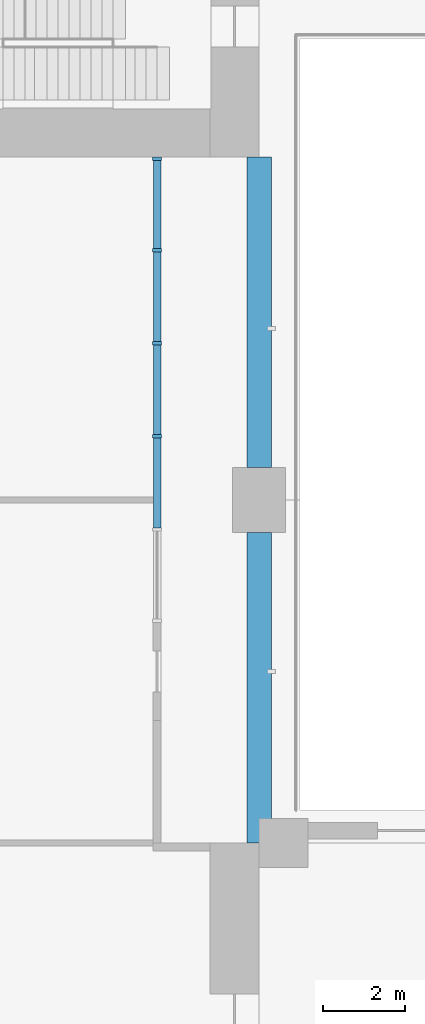
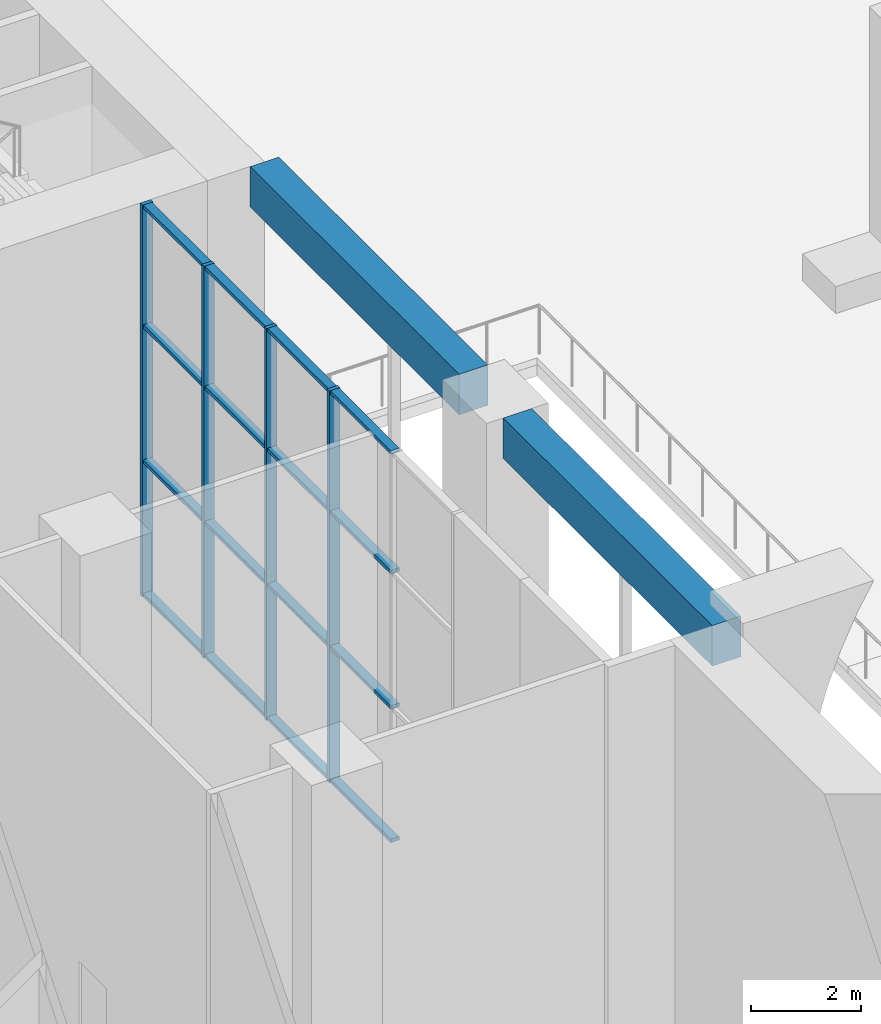
# One storey, part 6 of 46: 20 members, 2 beams, 1 element without a shape of its own.
"""IFC4 building model written with IfcOpenShell, lengths in metres."""

import ifcopenshell
import ifcopenshell.guid

model = None  # the IFC model being written
_history = None  # IfcOwnerHistory: only IFC2X3 demands one
_inside = {}  # id of a spatial element -> (the spatial element, [elements in it])
_under = {}  # id of a project, library or spatial element -> (it, [spatial elements below it])
_declared = {}  # id of a project -> (the project, [libraries it declares])
_typed = {}  # id of a type object -> (the type object, [elements of that type])
_made_of = {}  # id of a material, layer set ... -> (it, [elements and type objects made of it])


def new_model(schema):
    """Start an empty IFC model of exactly this schema.

    Asked for "IFC4X3", IfcOpenShell would pick the latest addendum, in which some entities
    have other attributes; the version numbers below select the first issue.
    IFC2X3 requires an IfcOwnerHistory on every rooted entity: one is made here for all.
    """
    global model, _history
    if schema == "IFC4X3":
        model = ifcopenshell.file(schema_version=(4, 3, 0, 0))
    else:
        model = ifcopenshell.file(schema=schema)
    _inside.clear()
    _under.clear()
    _declared.clear()
    _typed.clear()
    _made_of.clear()
    _history = None
    if model.schema == "IFC2X3":
        org = make("IfcOrganization", Name="unknown")
        user = make(
            "IfcPersonAndOrganization",
            ThePerson=make("IfcPerson", FamilyName="unknown"),
            TheOrganization=org,
        )
        app = make(
            "IfcApplication",
            ApplicationDeveloper=org,
            Version="unknown",
            ApplicationFullName="unknown",
            ApplicationIdentifier="unknown",
        )
        _history = make(
            "IfcOwnerHistory",
            OwningUser=user,
            OwningApplication=app,
            ChangeAction="ADDED",
            CreationDate=0,
        )
    return model


def make(cls, **values):
    """One entity of the class cls with the attributes given. An attribute that is None is left unset."""
    return model.create_entity(
        cls, **{name: value for name, value in values.items() if value is not None}
    )


def rooted(cls, **values):
    """An entity with a GlobalId (a new one), such as an element, a storey or a relation."""
    return make(cls, GlobalId=ifcopenshell.guid.new(), OwnerHistory=_history, **values)


def si_unit(unit_type, name, prefix=None):
    """IfcSIUnit, for example si_unit("LENGTHUNIT", "METRE", prefix="MILLI")."""
    return make("IfcSIUnit", UnitType=unit_type, Prefix=prefix, Name=name)


def assignment(units):
    """IfcUnitAssignment: the units of a project."""
    return None if units is None else make("IfcUnitAssignment", Units=units)


def point(xyz):
    """IfcCartesianPoint."""
    return None if xyz is None else make("IfcCartesianPoint", Coordinates=xyz)


def direction(xyz):
    """IfcDirection."""
    return None if xyz is None else make("IfcDirection", DirectionRatios=xyz)


def frame(location, z_axis=None, x_axis=None):
    """IfcAxis2Placement3D, a coordinate frame: its origin and axes. An axis left out is left unset."""
    return make(
        "IfcAxis2Placement3D",
        Location=point(location),
        Axis=direction(z_axis),
        RefDirection=direction(x_axis),
    )


def frame_2d(location, x_axis=None):
    """IfcAxis2Placement2D, a coordinate frame in the plane: its origin and x axis."""
    return make(
        "IfcAxis2Placement2D", Location=point(location), RefDirection=direction(x_axis)
    )


def origin():
    """The frame at (0, 0, 0) with its axes left unset."""
    return frame((0.0, 0.0, 0.0))


def origin_2d():
    """The frame at (0, 0) in the plane with its x axis left unset."""
    return frame_2d((0.0, 0.0))


def place(relative_to, where):
    """IfcLocalPlacement: puts the frame where relative to a parent placement (None: the world)."""
    return make(
        "IfcLocalPlacement", PlacementRelTo=relative_to, RelativePlacement=where
    )


def context(
    kind, dimensions, precision=None, world=None, true_north=None, identifier=None
):
    """IfcGeometricRepresentationContext, for example the 3D "Model" context."""
    return make(
        "IfcGeometricRepresentationContext",
        ContextIdentifier=identifier,
        ContextType=kind,
        CoordinateSpaceDimension=dimensions,
        Precision=precision,
        WorldCoordinateSystem=world,
        TrueNorth=true_north,
    )


def subcontext(parent, identifier, kind, view, scale=None):
    """IfcGeometricRepresentationSubContext, for example "Body" below "Model"."""
    return make(
        "IfcGeometricRepresentationSubContext",
        ContextIdentifier=identifier,
        ContextType=kind,
        ParentContext=parent,
        TargetScale=scale,
        TargetView=view,
    )


def project(units=None, contexts=None):
    """IfcProject with its units and contexts."""
    return rooted(
        "IfcProject",
        Name="project",
        RepresentationContexts=contexts,
        UnitsInContext=assignment(units),
    )


def spatial(cls, under=None, at=None, **own):
    """A site, building, storey or space (cls), placed at a placement, below another one or the project."""
    s = rooted(cls, ObjectPlacement=at, **own)
    if under is not None:
        _under.setdefault(under.id(), (under, []))[1].append(s)
    return s


def profile(cls, at=None, kind="AREA", **sizes):
    """A parametric profile (cls). Its sizes go by their IFC names, for example OverallWidth=200.0."""
    return make(cls, ProfileType=kind, Position=at, **sizes)


def rectangle(**sizes):
    """IfcRectangleProfileDef."""
    return profile("IfcRectangleProfileDef", **sizes)


def extrude(swept, where, along, depth):
    """IfcExtrudedAreaSolid: the profile swept, set in the frame where, extruded along a direction by depth."""
    return make(
        "IfcExtrudedAreaSolid",
        SweptArea=swept,
        Position=where,
        ExtrudedDirection=direction(along),
        Depth=depth,
    )


def shape(context_of_items, identifier, shape_type, items):
    """IfcShapeRepresentation: the items that make up one representation, for example the "Body"."""
    return make(
        "IfcShapeRepresentation",
        ContextOfItems=context_of_items,
        RepresentationIdentifier=identifier,
        RepresentationType=shape_type,
        Items=items,
    )


def material(Name=None, Category=None):
    """IfcMaterial."""
    return make("IfcMaterial", Name=Name, Category=Category)


def material_profile(
    of_material, cross_section, Name=None, Category=None, Priority=None
):
    """IfcMaterialProfile: a cross section and its material."""
    return make(
        "IfcMaterialProfile",
        Name=Name,
        Material=of_material,
        Profile=cross_section,
        Priority=Priority,
        Category=Category,
    )


def profile_set(profiles, Name=None, composite=None):
    """IfcMaterialProfileSet."""
    return make(
        "IfcMaterialProfileSet",
        Name=Name,
        MaterialProfiles=profiles,
        CompositeProfile=composite,
    )


def made_of(thing, what):
    """Note that an element or type object is made of a material, layer set ...; save() writes the relation."""
    if what is not None:
        _made_of.setdefault(what.id(), (what, []))[1].append(thing)
    return thing


def type_object(cls, material=None, **own):
    """A type object (cls), such as IfcWallType, which elements share."""
    return made_of(rooted(cls, **own), material)


def element(
    cls,
    number,
    at=None,
    inside=None,
    cuts=None,
    type_object=None,
    material=None,
    context=None,
    identifier="Body",
    shape_type=None,
    held_by="IfcProductDefinitionShape",
    body=None,
    shapes=None,
    **own,
):
    """One element of the class cls, such as IfcWall. Its Tag is "e" and its number.

    at: its placement. inside: the storey or other place that contains it. cuts: it is an
    opening in that element (IfcRelVoidsElement). A single representation is given by context,
    identifier, shape_type and body (its items); several are given by shapes. held_by: the class
    of the entity that holds the representations. save() writes the other relations.
    """
    e = rooted(cls, Tag="e%d" % number, ObjectPlacement=at, **own)
    if body is not None:
        shapes = [shape(context, identifier, shape_type, body)]
    if shapes is not None:
        e.Representation = make(held_by, Representations=shapes)
    if inside is not None:
        _inside.setdefault(inside.id(), (inside, []))[1].append(e)
    if cuts is not None:
        rooted(
            "IfcRelVoidsElement", RelatingBuildingElement=cuts, RelatedOpeningElement=e
        )
    if type_object is not None:
        _typed.setdefault(type_object.id(), (type_object, []))[1].append(e)
    return made_of(e, material)


def aggregate(whole, parts):
    """IfcRelAggregates: a whole, such as a stair, and the parts it consists of."""
    return rooted("IfcRelAggregates", RelatingObject=whole, RelatedObjects=parts)


def save(model, path):
    """Write the relations noted so far, then the file.

    IfcRelAggregates (storeys below a building ...), IfcRelContainedInSpatialStructure (elements
    in a storey), IfcRelDefinesByType, IfcRelAssociatesMaterial and IfcRelDeclares: one each for
    every whole, place, type object, material and project.
    """
    for whole, parts in _under.values():
        aggregate(whole, parts)
    for where, things in _inside.values():
        rooted(
            "IfcRelContainedInSpatialStructure",
            RelatedElements=things,
            RelatingStructure=where,
        )
    for kind, things in _typed.values():
        rooted("IfcRelDefinesByType", RelatedObjects=things, RelatingType=kind)
    for what, things in _made_of.values():
        rooted("IfcRelAssociatesMaterial", RelatedObjects=things, RelatingMaterial=what)
    for by, libraries in _declared.values():
        rooted("IfcRelDeclares", RelatingContext=by, RelatedDefinitions=libraries)
    model.write(path)


model = new_model("IFC4")

# Units and contexts
model_context = context("Model", 3, precision=1e-05, world=origin(), true_north=direction((0.0, 1.0)))
body_context = subcontext(model_context, "Body", "Model", "MODEL_VIEW")
ifc_project = project(units=[si_unit("LENGTHUNIT", "METRE"), si_unit("AREAUNIT", "SQUARE_METRE"), si_unit("VOLUMEUNIT", "CUBIC_METRE"), si_unit("PLANEANGLEUNIT", "RADIAN"), si_unit("MASSUNIT", "GRAM", prefix="KILO")], contexts=[model_context])

# Site, building, storey
site_placement = place(None, origin())
site = spatial("IfcSite", under=ifc_project, at=site_placement, CompositionType="ELEMENT")
building_placement = place(site_placement, origin())
building = spatial("IfcBuilding", under=site, at=building_placement, Name="Vermilion Gate Residences", CompositionType="ELEMENT")
storey_placement = place(building_placement, origin())
storey = spatial("IfcBuildingStorey", under=building, at=storey_placement, Name="L00", CompositionType="ELEMENT", Elevation=0.0)

# Curtain wall, members
ifc_material_1 = material(Name="Aluminium and glass", Category="aluminium")
curtain_wall_type = type_object("IfcCurtainWallType", Name="LOBBY ENTRANCE GLAZING CURTAIN WALL", PredefinedType="NOTDEFINED", material=ifc_material_1)
curtain_wall_placement = place(storey_placement, origin())
curtain_wall = element("IfcCurtainWall", 1, at=curtain_wall_placement, inside=storey, type_object=curtain_wall_type, Name="Lobby Entrance Glazing 82", PredefinedType="NOTDEFINED")
ifc_material_2 = material(Name="Aluminium", Category="aluminium")
ifc_material_profile_1 = material_profile(ifc_material_2, rectangle(XDim=0.219970703125, YDim=0.080078125, at=origin_2d()), Name="MULLION 80 X 220")
ifc_profile_set_1 = profile_set([ifc_material_profile_1], Name="Aluminium")
member_type_1 = type_object("IfcMemberType", Name="LOBBY ENTRANCE GLAZING MULLION 80 X 220", PredefinedType="MULLION", material=ifc_profile_set_1)
member_1_placement = place(storey_placement, frame((22.699951171875, 35.159912109375, 0.0), z_axis=(0.0, 0.0, 1.0), x_axis=(-1.0, 0.0, 0.0)))
member_1 = element("IfcMember", 2, at=member_1_placement, type_object=member_type_1, Name="ECW5 mullion 3", PredefinedType="MULLION", context=body_context, shape_type="SweptSolid", body=[
    extrude(rectangle(XDim=0.219970703125, YDim=0.080078125, at=origin_2d()), origin(), (0.0, 0.0, 1.0), 8.699951171875),
])
member_2_placement = place(storey_placement, frame((22.699951171875, 37.43994140625, 0.0), z_axis=(0.0, 0.0, 1.0), x_axis=(-1.0, 0.0, 0.0)))
member_2 = element("IfcMember", 3, at=member_2_placement, type_object=member_type_1, Name="ECW5 mullion 4", PredefinedType="MULLION", context=body_context, shape_type="SweptSolid", body=[
    extrude(rectangle(XDim=0.219970703125, YDim=0.080078125, at=origin_2d()), origin(), (0.0, 0.0, 1.0), 8.699951171875),
])
member_3_placement = place(storey_placement, frame((22.699951171875, 39.719970703125, 0.0), z_axis=(0.0, 0.0, 1.0), x_axis=(-1.0, 0.0, 0.0)))
member_3 = element("IfcMember", 4, at=member_3_placement, type_object=member_type_1, Name="ECW5 mullion 5", PredefinedType="MULLION", context=body_context, shape_type="SweptSolid", body=[
    extrude(rectangle(XDim=0.219970703125, YDim=0.080078125, at=origin_2d()), origin(), (0.0, 0.0, 1.0), 8.699951171875),
])
member_4_placement = place(storey_placement, frame((22.699951171875, 41.9599609375, 0.0), z_axis=(0.0, 0.0, 1.0), x_axis=(-1.0, 0.0, 0.0)))
member_4 = element("IfcMember", 5, at=member_4_placement, type_object=member_type_1, Name="ECW5 mullion 6", PredefinedType="MULLION", context=body_context, shape_type="SweptSolid", body=[
    extrude(rectangle(XDim=0.219970703125, YDim=0.080078125, at=origin_2d()), origin(), (0.0, 0.0, 1.0), 8.699951171875),
])
ifc_material_3 = material(Name="Aluminium", Category="aluminium")
ifc_material_profile_2 = material_profile(ifc_material_3, rectangle(XDim=0.179931640625, YDim=0.080078125, at=origin_2d()), Name="TRANSOM 80 X 180")
ifc_profile_set_2 = profile_set([ifc_material_profile_2], Name="Aluminium")
member_type_2 = type_object("IfcMemberType", Name="LOBBY ENTRANCE GLAZING TRANSOM 80 X 180", PredefinedType="MULLION", material=ifc_profile_set_2)
member_5_placement = place(storey_placement, frame((22.699951171875, 32.919921875, 0.0400390625), z_axis=(0.0, 1.0, 0.0), x_axis=(-1.0, 0.0, 0.0)))
member_5 = element("IfcMember", 6, at=member_5_placement, type_object=member_type_2, Name="ECW5 transom 2.1", PredefinedType="MULLION", context=body_context, shape_type="SweptSolid", body=[
    extrude(rectangle(XDim=0.179931640625, YDim=0.080078125, at=origin_2d()), origin(), (0.0, 0.0, 1.0), 2.2001953125),
])
member_6_placement = place(storey_placement, frame((22.699951171875, 32.919921875, 3.0), z_axis=(0.0, 1.0, 0.0), x_axis=(-1.0, 0.0, 0.0)))
member_6 = element("IfcMember", 7, at=member_6_placement, type_object=member_type_2, Name="ECW5 transom 2.2", PredefinedType="MULLION", context=body_context, shape_type="SweptSolid", body=[
    extrude(rectangle(XDim=0.179931640625, YDim=0.080078125, at=origin_2d()), origin(), (0.0, 0.0, 1.0), 2.2001953125),
])
member_7_placement = place(storey_placement, frame((22.699951171875, 32.919921875, 6.0), z_axis=(0.0, 1.0, 0.0), x_axis=(-1.0, 0.0, 0.0)))
member_7 = element("IfcMember", 8, at=member_7_placement, type_object=member_type_2, Name="ECW5 transom 2.3", PredefinedType="MULLION", context=body_context, shape_type="SweptSolid", body=[
    extrude(rectangle(XDim=0.179931640625, YDim=0.080078125, at=origin_2d()), origin(), (0.0, 0.0, 1.0), 2.2001953125),
])
member_8_placement = place(storey_placement, frame((22.699951171875, 32.919921875, 8.659912109375), z_axis=(0.0, 1.0, 0.0), x_axis=(-1.0, 0.0, 0.0)))
member_8 = element("IfcMember", 9, at=member_8_placement, type_object=member_type_2, Name="ECW5 transom 2.4", PredefinedType="MULLION", context=body_context, shape_type="SweptSolid", body=[
    extrude(rectangle(XDim=0.179931640625, YDim=0.080078125, at=origin_2d()), origin(), (0.0, 0.0, 1.0), 2.2001953125),
])
member_9_placement = place(storey_placement, frame((22.699951171875, 35.199951171875, 0.0400390625), z_axis=(0.0, 1.0, 0.0), x_axis=(-1.0, 0.0, 0.0)))
member_9 = element("IfcMember", 10, at=member_9_placement, type_object=member_type_2, Name="ECW5 transom 3.1", PredefinedType="MULLION", context=body_context, shape_type="SweptSolid", body=[
    extrude(rectangle(XDim=0.179931640625, YDim=0.080078125, at=origin_2d()), origin(), (0.0, 0.0, 1.0), 2.199951171875),
])
member_10_placement = place(storey_placement, frame((22.699951171875, 35.199951171875, 3.0), z_axis=(0.0, 1.0, 0.0), x_axis=(-1.0, 0.0, 0.0)))
member_10 = element("IfcMember", 11, at=member_10_placement, type_object=member_type_2, Name="ECW5 transom 3.2", PredefinedType="MULLION", context=body_context, shape_type="SweptSolid", body=[
    extrude(rectangle(XDim=0.179931640625, YDim=0.080078125, at=origin_2d()), origin(), (0.0, 0.0, 1.0), 2.199951171875),
])
member_11_placement = place(storey_placement, frame((22.699951171875, 35.199951171875, 6.0), z_axis=(0.0, 1.0, 0.0), x_axis=(-1.0, 0.0, 0.0)))
member_11 = element("IfcMember", 12, at=member_11_placement, type_object=member_type_2, Name="ECW5 transom 3.3", PredefinedType="MULLION", context=body_context, shape_type="SweptSolid", body=[
    extrude(rectangle(XDim=0.179931640625, YDim=0.080078125, at=origin_2d()), origin(), (0.0, 0.0, 1.0), 2.199951171875),
])
member_12_placement = place(storey_placement, frame((22.699951171875, 35.199951171875, 8.659912109375), z_axis=(0.0, 1.0, 0.0), x_axis=(-1.0, 0.0, 0.0)))
member_12 = element("IfcMember", 13, at=member_12_placement, type_object=member_type_2, Name="ECW5 transom 3.4", PredefinedType="MULLION", context=body_context, shape_type="SweptSolid", body=[
    extrude(rectangle(XDim=0.179931640625, YDim=0.080078125, at=origin_2d()), origin(), (0.0, 0.0, 1.0), 2.199951171875),
])
member_13_placement = place(storey_placement, frame((22.699951171875, 37.47998046875, 0.0400390625), z_axis=(0.0, 1.0, 0.0), x_axis=(-1.0, 0.0, 0.0)))
member_13 = element("IfcMember", 14, at=member_13_placement, type_object=member_type_2, Name="ECW5 transom 4.1", PredefinedType="MULLION", context=body_context, shape_type="SweptSolid", body=[
    extrude(rectangle(XDim=0.179931640625, YDim=0.080078125, at=origin_2d()), origin(), (0.0, 0.0, 1.0), 2.199951171875),
])
member_14_placement = place(storey_placement, frame((22.699951171875, 37.47998046875, 3.0), z_axis=(0.0, 1.0, 0.0), x_axis=(-1.0, 0.0, 0.0)))
member_14 = element("IfcMember", 15, at=member_14_placement, type_object=member_type_2, Name="ECW5 transom 4.2", PredefinedType="MULLION", context=body_context, shape_type="SweptSolid", body=[
    extrude(rectangle(XDim=0.179931640625, YDim=0.080078125, at=origin_2d()), origin(), (0.0, 0.0, 1.0), 2.199951171875),
])
member_15_placement = place(storey_placement, frame((22.699951171875, 37.47998046875, 6.0), z_axis=(0.0, 1.0, 0.0), x_axis=(-1.0, 0.0, 0.0)))
member_15 = element("IfcMember", 16, at=member_15_placement, type_object=member_type_2, Name="ECW5 transom 4.3", PredefinedType="MULLION", context=body_context, shape_type="SweptSolid", body=[
    extrude(rectangle(XDim=0.179931640625, YDim=0.080078125, at=origin_2d()), origin(), (0.0, 0.0, 1.0), 2.199951171875),
])
member_16_placement = place(storey_placement, frame((22.699951171875, 37.47998046875, 8.659912109375), z_axis=(0.0, 1.0, 0.0), x_axis=(-1.0, 0.0, 0.0)))
member_16 = element("IfcMember", 17, at=member_16_placement, type_object=member_type_2, Name="ECW5 transom 4.4", PredefinedType="MULLION", context=body_context, shape_type="SweptSolid", body=[
    extrude(rectangle(XDim=0.179931640625, YDim=0.080078125, at=origin_2d()), origin(), (0.0, 0.0, 1.0), 2.199951171875),
])
member_17_placement = place(storey_placement, frame((22.699951171875, 39.760009765625, 0.0400390625), z_axis=(0.0, 1.0, 0.0), x_axis=(-1.0, 0.0, 0.0)))
member_17 = element("IfcMember", 18, at=member_17_placement, type_object=member_type_2, Name="ECW5 transom 5.1", PredefinedType="MULLION", context=body_context, shape_type="SweptSolid", body=[
    extrude(rectangle(XDim=0.179931640625, YDim=0.080078125, at=origin_2d()), origin(), (0.0, 0.0, 1.0), 2.159912109375),
])
member_18_placement = place(storey_placement, frame((22.699951171875, 39.760009765625, 3.0), z_axis=(0.0, 1.0, 0.0), x_axis=(-1.0, 0.0, 0.0)))
member_18 = element("IfcMember", 19, at=member_18_placement, type_object=member_type_2, Name="ECW5 transom 5.2", PredefinedType="MULLION", context=body_context, shape_type="SweptSolid", body=[
    extrude(rectangle(XDim=0.179931640625, YDim=0.080078125, at=origin_2d()), origin(), (0.0, 0.0, 1.0), 2.159912109375),
])
member_19_placement = place(storey_placement, frame((22.699951171875, 39.760009765625, 6.0), z_axis=(0.0, 1.0, 0.0), x_axis=(-1.0, 0.0, 0.0)))
member_19 = element("IfcMember", 20, at=member_19_placement, type_object=member_type_2, Name="ECW5 transom 5.3", PredefinedType="MULLION", context=body_context, shape_type="SweptSolid", body=[
    extrude(rectangle(XDim=0.179931640625, YDim=0.080078125, at=origin_2d()), origin(), (0.0, 0.0, 1.0), 2.159912109375),
])
member_20_placement = place(storey_placement, frame((22.699951171875, 39.760009765625, 8.659912109375), z_axis=(0.0, 1.0, 0.0), x_axis=(-1.0, 0.0, 0.0)))
member_20 = element("IfcMember", 21, at=member_20_placement, type_object=member_type_2, Name="ECW5 transom 5.4", PredefinedType="MULLION", context=body_context, shape_type="SweptSolid", body=[
    extrude(rectangle(XDim=0.179931640625, YDim=0.080078125, at=origin_2d()), origin(), (0.0, 0.0, 1.0), 2.159912109375),
])
aggregate(curtain_wall, [member_1, member_2, member_3, member_4, member_5, member_6, member_7, member_8, member_9, member_10, member_11, member_12, member_13, member_14, member_15, member_16, member_17, member_18, member_19, member_20])

# Beams
ifc_material_4 = material(Name="Concrete C60 red-oxide pigmented", Category="concrete")
ifc_material_profile_3 = material_profile(ifc_material_4, rectangle(XDim=0.60009765625, YDim=0.89990234375, at=origin_2d()), Name="RC-600x900")
ifc_profile_set_3 = profile_set([ifc_material_profile_3], Name="Concrete C60 red-oxide pigmented")
beam_type = type_object("IfcBeamType", Name="RC EDGE BEAM 600 X 900 C60", PredefinedType="BEAM", material=ifc_profile_set_3)
for number, where, z_axis, x_axis, name in (
    (22, (25.199951171875, 25.199951171875, 8.25), (0.0, 1.0, 0.0), (-1.0, 0.0, 0.0), "Edge beam L00 12"),
    (23, (25.199951171875, 34.39990234375, 8.25), (0.0, 1.0, 0.0), (-1.0, 0.0, 0.0), "Edge beam L00 13"),
):
    element("IfcBeam", number, at=place(storey_placement, frame(where, z_axis=z_axis, x_axis=x_axis)), inside=storey, type_object=beam_type, Name=name, PredefinedType="BEAM", context=body_context, shape_type="SweptSolid", body=[
        extrude(rectangle(XDim=0.60009765625, YDim=0.89990234375, at=origin_2d()), origin(), (0.0, 0.0, 1.0), 7.60009765625),
    ])

save(model, "model.ifc")
